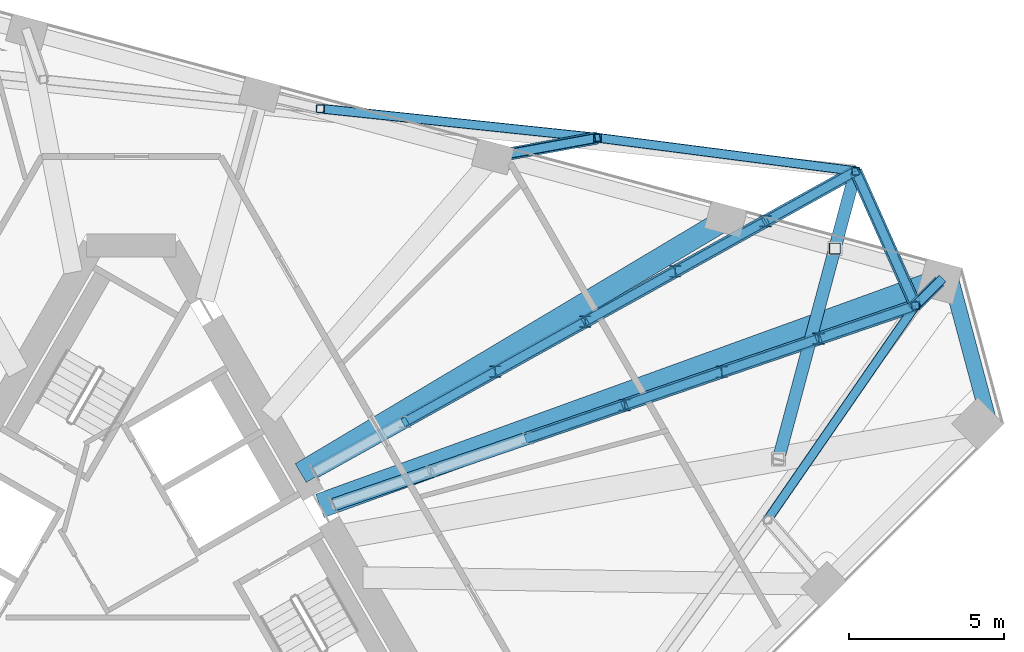
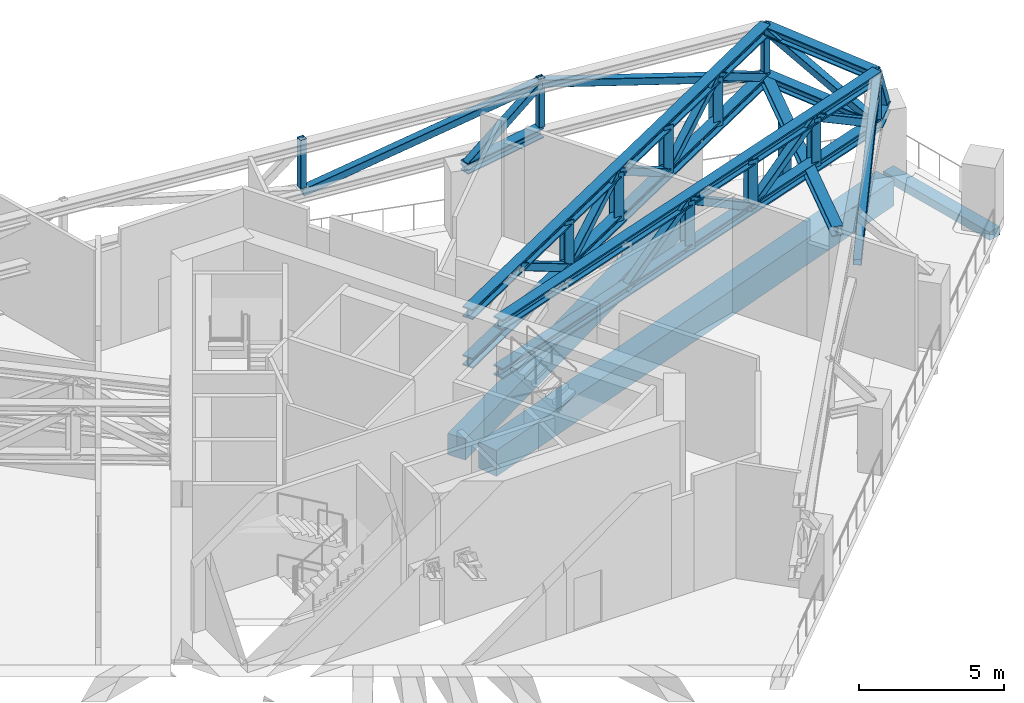
# One storey, part 12 of 22: 36 members, 3 beams.
"""IFC4 building model written with IfcOpenShell, lengths in metres."""

import ifcopenshell
import ifcopenshell.guid

model = None  # the IFC model being written
_history = None  # IfcOwnerHistory: only IFC2X3 demands one
_inside = {}  # id of a spatial element -> (the spatial element, [elements in it])
_under = {}  # id of a project, library or spatial element -> (it, [spatial elements below it])
_declared = {}  # id of a project -> (the project, [libraries it declares])
_typed = {}  # id of a type object -> (the type object, [elements of that type])
_made_of = {}  # id of a material, layer set ... -> (it, [elements and type objects made of it])


def new_model(schema):
    """Start an empty IFC model of exactly this schema.

    Asked for "IFC4X3", IfcOpenShell would pick the latest addendum, in which some entities
    have other attributes; the version numbers below select the first issue.
    IFC2X3 requires an IfcOwnerHistory on every rooted entity: one is made here for all.
    """
    global model, _history
    if schema == "IFC4X3":
        model = ifcopenshell.file(schema_version=(4, 3, 0, 0))
    else:
        model = ifcopenshell.file(schema=schema)
    _inside.clear()
    _under.clear()
    _declared.clear()
    _typed.clear()
    _made_of.clear()
    _history = None
    if model.schema == "IFC2X3":
        org = make("IfcOrganization", Name="unknown")
        user = make(
            "IfcPersonAndOrganization",
            ThePerson=make("IfcPerson", FamilyName="unknown"),
            TheOrganization=org,
        )
        app = make(
            "IfcApplication",
            ApplicationDeveloper=org,
            Version="unknown",
            ApplicationFullName="unknown",
            ApplicationIdentifier="unknown",
        )
        _history = make(
            "IfcOwnerHistory",
            OwningUser=user,
            OwningApplication=app,
            ChangeAction="ADDED",
            CreationDate=0,
        )
    return model


def make(cls, **values):
    """One entity of the class cls with the attributes given. An attribute that is None is left unset."""
    return model.create_entity(
        cls, **{name: value for name, value in values.items() if value is not None}
    )


def rooted(cls, **values):
    """An entity with a GlobalId (a new one), such as an element, a storey or a relation."""
    return make(cls, GlobalId=ifcopenshell.guid.new(), OwnerHistory=_history, **values)


def si_unit(unit_type, name, prefix=None):
    """IfcSIUnit, for example si_unit("LENGTHUNIT", "METRE", prefix="MILLI")."""
    return make("IfcSIUnit", UnitType=unit_type, Prefix=prefix, Name=name)


def assignment(units):
    """IfcUnitAssignment: the units of a project."""
    return None if units is None else make("IfcUnitAssignment", Units=units)


def point(xyz):
    """IfcCartesianPoint."""
    return None if xyz is None else make("IfcCartesianPoint", Coordinates=xyz)


def direction(xyz):
    """IfcDirection."""
    return None if xyz is None else make("IfcDirection", DirectionRatios=xyz)


def frame(location, z_axis=None, x_axis=None):
    """IfcAxis2Placement3D, a coordinate frame: its origin and axes. An axis left out is left unset."""
    return make(
        "IfcAxis2Placement3D",
        Location=point(location),
        Axis=direction(z_axis),
        RefDirection=direction(x_axis),
    )


def frame_2d(location, x_axis=None):
    """IfcAxis2Placement2D, a coordinate frame in the plane: its origin and x axis."""
    return make(
        "IfcAxis2Placement2D", Location=point(location), RefDirection=direction(x_axis)
    )


def origin():
    """The frame at (0, 0, 0) with its axes left unset."""
    return frame((0.0, 0.0, 0.0))


def origin_2d():
    """The frame at (0, 0) in the plane with its x axis left unset."""
    return frame_2d((0.0, 0.0))


def place(relative_to, where):
    """IfcLocalPlacement: puts the frame where relative to a parent placement (None: the world)."""
    return make(
        "IfcLocalPlacement", PlacementRelTo=relative_to, RelativePlacement=where
    )


def context(
    kind, dimensions, precision=None, world=None, true_north=None, identifier=None
):
    """IfcGeometricRepresentationContext, for example the 3D "Model" context."""
    return make(
        "IfcGeometricRepresentationContext",
        ContextIdentifier=identifier,
        ContextType=kind,
        CoordinateSpaceDimension=dimensions,
        Precision=precision,
        WorldCoordinateSystem=world,
        TrueNorth=true_north,
    )


def subcontext(parent, identifier, kind, view, scale=None):
    """IfcGeometricRepresentationSubContext, for example "Body" below "Model"."""
    return make(
        "IfcGeometricRepresentationSubContext",
        ContextIdentifier=identifier,
        ContextType=kind,
        ParentContext=parent,
        TargetScale=scale,
        TargetView=view,
    )


def project(units=None, contexts=None):
    """IfcProject with its units and contexts."""
    return rooted(
        "IfcProject",
        Name="project",
        RepresentationContexts=contexts,
        UnitsInContext=assignment(units),
    )


def spatial(cls, under=None, at=None, **own):
    """A site, building, storey or space (cls), placed at a placement, below another one or the project."""
    s = rooted(cls, ObjectPlacement=at, **own)
    if under is not None:
        _under.setdefault(under.id(), (under, []))[1].append(s)
    return s


def profile(cls, at=None, kind="AREA", **sizes):
    """A parametric profile (cls). Its sizes go by their IFC names, for example OverallWidth=200.0."""
    return make(cls, ProfileType=kind, Position=at, **sizes)


def rectangle(**sizes):
    """IfcRectangleProfileDef."""
    return profile("IfcRectangleProfileDef", **sizes)


def hollow_rectangle(**sizes):
    """IfcRectangleHollowProfileDef."""
    return profile("IfcRectangleHollowProfileDef", **sizes)


def i_section(**sizes):
    """IfcIShapeProfileDef."""
    return profile("IfcIShapeProfileDef", **sizes)


def extrude(swept, where, along, depth):
    """IfcExtrudedAreaSolid: the profile swept, set in the frame where, extruded along a direction by depth."""
    return make(
        "IfcExtrudedAreaSolid",
        SweptArea=swept,
        Position=where,
        ExtrudedDirection=direction(along),
        Depth=depth,
    )


def shape(context_of_items, identifier, shape_type, items):
    """IfcShapeRepresentation: the items that make up one representation, for example the "Body"."""
    return make(
        "IfcShapeRepresentation",
        ContextOfItems=context_of_items,
        RepresentationIdentifier=identifier,
        RepresentationType=shape_type,
        Items=items,
    )


def material(Name=None, Category=None):
    """IfcMaterial."""
    return make("IfcMaterial", Name=Name, Category=Category)


def material_profile(
    of_material, cross_section, Name=None, Category=None, Priority=None
):
    """IfcMaterialProfile: a cross section and its material."""
    return make(
        "IfcMaterialProfile",
        Name=Name,
        Material=of_material,
        Profile=cross_section,
        Priority=Priority,
        Category=Category,
    )


def profile_set(profiles, Name=None, composite=None):
    """IfcMaterialProfileSet."""
    return make(
        "IfcMaterialProfileSet",
        Name=Name,
        MaterialProfiles=profiles,
        CompositeProfile=composite,
    )


def made_of(thing, what):
    """Note that an element or type object is made of a material, layer set ...; save() writes the relation."""
    if what is not None:
        _made_of.setdefault(what.id(), (what, []))[1].append(thing)
    return thing


def type_object(cls, material=None, **own):
    """A type object (cls), such as IfcWallType, which elements share."""
    return made_of(rooted(cls, **own), material)


def element(
    cls,
    number,
    at=None,
    inside=None,
    cuts=None,
    type_object=None,
    material=None,
    context=None,
    identifier="Body",
    shape_type=None,
    held_by="IfcProductDefinitionShape",
    body=None,
    shapes=None,
    **own,
):
    """One element of the class cls, such as IfcWall. Its Tag is "e" and its number.

    at: its placement. inside: the storey or other place that contains it. cuts: it is an
    opening in that element (IfcRelVoidsElement). A single representation is given by context,
    identifier, shape_type and body (its items); several are given by shapes. held_by: the class
    of the entity that holds the representations. save() writes the other relations.
    """
    e = rooted(cls, Tag="e%d" % number, ObjectPlacement=at, **own)
    if body is not None:
        shapes = [shape(context, identifier, shape_type, body)]
    if shapes is not None:
        e.Representation = make(held_by, Representations=shapes)
    if inside is not None:
        _inside.setdefault(inside.id(), (inside, []))[1].append(e)
    if cuts is not None:
        rooted(
            "IfcRelVoidsElement", RelatingBuildingElement=cuts, RelatedOpeningElement=e
        )
    if type_object is not None:
        _typed.setdefault(type_object.id(), (type_object, []))[1].append(e)
    return made_of(e, material)


def aggregate(whole, parts):
    """IfcRelAggregates: a whole, such as a stair, and the parts it consists of."""
    return rooted("IfcRelAggregates", RelatingObject=whole, RelatedObjects=parts)


def save(model, path):
    """Write the relations noted so far, then the file.

    IfcRelAggregates (storeys below a building ...), IfcRelContainedInSpatialStructure (elements
    in a storey), IfcRelDefinesByType, IfcRelAssociatesMaterial and IfcRelDeclares: one each for
    every whole, place, type object, material and project.
    """
    for whole, parts in _under.values():
        aggregate(whole, parts)
    for where, things in _inside.values():
        rooted(
            "IfcRelContainedInSpatialStructure",
            RelatedElements=things,
            RelatingStructure=where,
        )
    for kind, things in _typed.values():
        rooted("IfcRelDefinesByType", RelatedObjects=things, RelatingType=kind)
    for what, things in _made_of.values():
        rooted("IfcRelAssociatesMaterial", RelatedObjects=things, RelatingMaterial=what)
    for by, libraries in _declared.values():
        rooted("IfcRelDeclares", RelatingContext=by, RelatedDefinitions=libraries)
    model.write(path)


model = new_model("IFC4")

# Units and contexts
model_context = context("Model", 3, precision=1e-05, world=origin(), true_north=direction((0.0, 1.0)))
body_context = subcontext(model_context, "Body", "Model", "MODEL_VIEW")
ifc_project = project(units=[si_unit("LENGTHUNIT", "METRE"), si_unit("AREAUNIT", "SQUARE_METRE"), si_unit("VOLUMEUNIT", "CUBIC_METRE"), si_unit("PLANEANGLEUNIT", "RADIAN"), si_unit("MASSUNIT", "GRAM", prefix="KILO")], contexts=[model_context])

# Site, building, storey
site_placement = place(None, origin())
site = spatial("IfcSite", under=ifc_project, at=site_placement, CompositionType="ELEMENT")
building_placement = place(site_placement, origin())
building = spatial("IfcBuilding", under=site, at=building_placement, Name="Tramontana Tower", CompositionType="ELEMENT")
storey_placement = place(building_placement, frame((0.0, 0.0, 232.0)))
storey = spatial("IfcBuildingStorey", under=building, at=storey_placement, Name="L54", CompositionType="ELEMENT", Elevation=232.0)

# Members
ifc_material_1 = material(Name="Steel ASTM A500 Grade C", Category="steel")
ifc_material_profile_1 = material_profile(ifc_material_1, hollow_rectangle(XDim=0.25390625, YDim=0.25390625, WallThickness=0.01171875, InnerFilletRadius=0.01171875, OuterFilletRadius=0.023681640625, at=origin_2d()), Name="HSS10X10X1/2")
ifc_profile_set_1 = profile_set([ifc_material_profile_1], Name="Steel ASTM A500 Grade C")
member_type_1 = type_object("IfcMemberType", Name="Belt truss HSS10X10X1/2 post", PredefinedType="POST", material=ifc_profile_set_1)
for number, where, z_axis, x_axis, name in (
    (1, (25.34130859375, 8.67919921875, 2.806396484375), (0.0, 0.0, 1.0), (1.0, 0.0, 0.0), "Belt truss post C6K4"),
    (2, (23.40625, 13.024658203125, 2.806396484375), (0.0, 0.0, 1.0), (1.0, 0.0, 0.0), "Belt truss post C6K5"),
    (3, (15.066650390625, 14.102294921875, 2.806396484375), (0.0, 0.0, 1.0), (1.0, 0.0, 0.0), "Belt truss post C6F09"),
    (4, (6.109375, 15.043701171875, 2.806396484375), (0.0, 0.0, 1.0), (1.0, 0.0, 0.0), "Belt truss post C6F10"),
):
    element("IfcMember", number, at=place(storey_placement, frame(where, z_axis=z_axis, x_axis=x_axis)), inside=storey, type_object=member_type_1, Name=name, PredefinedType="POST", context=body_context, shape_type="SweptSolid", body=[
        extrude(hollow_rectangle(XDim=0.25390625, YDim=0.25390625, WallThickness=0.01171875, InnerFilletRadius=0.01171875, OuterFilletRadius=0.023681640625, at=origin_2d()), origin(), (0.0, 0.0, 1.0), 2.043701171875),
    ])
ifc_material_2 = material(Name="Steel ASTM A500 Grade C", Category="steel")
ifc_material_profile_2 = material_profile(ifc_material_2, hollow_rectangle(XDim=0.3046875, YDim=0.3046875, WallThickness=0.01171875, InnerFilletRadius=0.01171875, OuterFilletRadius=0.023681640625, at=origin_2d()), Name="HSS12X12X1/2")
ifc_profile_set_2 = profile_set([ifc_material_profile_2], Name="Steel ASTM A500 Grade C")
member_type_2 = type_object("IfcMemberType", Name="Belt truss HSS12X12X1/2 brace", PredefinedType="BRACE", material=ifc_profile_set_2)
member_1_placement = place(storey_placement, frame((20.5615234375, 1.760498046875, 2.603271484375), z_axis=(0.552325435866, 0.799486695628, 0.236130549504), x_axis=(-0.822753048949, 0.568398997576, 0.0)))
element("IfcMember", 5, at=member_1_placement, inside=storey, type_object=member_type_2, Name="Belt truss diagonal S1.5", PredefinedType="BRACE", context=body_context, shape_type="SweptSolid", body=[
    extrude(hollow_rectangle(XDim=0.3046875, YDim=0.3046875, WallThickness=0.01171875, InnerFilletRadius=0.01171875, OuterFilletRadius=0.023681640625, at=origin_2d()), origin(), (0.0, 0.0, 1.0), 8.65380859375),
])
member_2_placement = place(storey_placement, frame((23.40625, 13.024658203125, 2.603271484375), z_axis=(-0.963707102853, 0.124529498873, 0.236137722149), x_axis=(-0.128153738169, -0.991754314028, 0.0)))
element("IfcMember", 6, at=member_2_placement, inside=storey, type_object=member_type_2, Name="Belt truss diagonal S2.1", PredefinedType="BRACE", context=body_context, shape_type="SweptSolid", body=[
    extrude(hollow_rectangle(XDim=0.3046875, YDim=0.3046875, WallThickness=0.01171875, InnerFilletRadius=0.01171875, OuterFilletRadius=0.023681640625, at=origin_2d()), origin(), (0.0, 0.0, 1.0), 8.653564453125),
])
member_3_placement = place(storey_placement, frame((15.066650390625, 14.102294921875, 4.646728515625), z_axis=(-0.969872822269, 0.101933266174, -0.221260746338), x_axis=(-0.104523924554, -0.994522372396, 0.0)))
element("IfcMember", 7, at=member_3_placement, inside=storey, type_object=member_type_2, Name="Belt truss diagonal S2.2", PredefinedType="BRACE", context=body_context, shape_type="SweptSolid", body=[
    extrude(hollow_rectangle(XDim=0.3046875, YDim=0.3046875, WallThickness=0.01171875, InnerFilletRadius=0.01171875, OuterFilletRadius=0.023681640625, at=origin_2d()), origin(), (0.0, 0.0, 1.0), 9.235595703125),
])
member_4_placement = place(storey_placement, frame((25.34130859375, 8.67919921875, 2.603271484375), z_axis=(-0.373766988055, 0.839348803986, 0.394704730005), x_axis=(-0.91351924065, -0.406795522299, 0.0)))
element("IfcMember", 8, at=member_4_placement, inside=storey, type_object=member_type_2, Name="Belt truss diagonal K2.1", PredefinedType="BRACE", context=body_context, shape_type="SweptSolid", body=[
    extrude(hollow_rectangle(XDim=0.3046875, YDim=0.3046875, WallThickness=0.01171875, InnerFilletRadius=0.01171875, OuterFilletRadius=0.023681640625, at=origin_2d()), origin(), (0.0, 0.0, 1.0), 5.17724609375),
])
ifc_material_3 = material(Name="Steel ASTM A992 Grade 50", Category="steel")
ifc_material_profile_3 = material_profile(ifc_material_3, i_section(OverallWidth=0.4033203125, OverallDepth=0.406494140625, WebThickness=0.027099609375, FlangeThickness=0.04443359375, FilletRadius=0.01513671875, at=origin_2d()), Name="W14X233")
ifc_profile_set_3 = profile_set([ifc_material_profile_3], Name="Steel ASTM A992 Grade 50")
member_type_3 = type_object("IfcMemberType", Name="Belt truss W14X233 chord", PredefinedType="CHORD", material=ifc_profile_set_3)
for number, where, z_axis, x_axis, name in (
    (9, (25.34130859375, 8.67919921875, 2.603271484375), (-0.406795522299, 0.91351924065, 0.0), (-0.91351924065, -0.406795522299, 0.0), "Belt truss bottom chord K2"),
    (10, (25.34130859375, 8.67919921875, 4.646728515625), (-0.406795522299, 0.91351924065, 0.0), (-0.91351924065, -0.406795522299, 0.0), "Belt truss top chord K2"),
):
    element("IfcMember", number, at=place(storey_placement, frame(where, z_axis=z_axis, x_axis=x_axis)), inside=storey, type_object=member_type_3, Name=name, PredefinedType="CHORD", context=body_context, shape_type="SweptSolid", body=[
        extrude(i_section(OverallWidth=0.4033203125, OverallDepth=0.406494140625, WebThickness=0.027099609375, FlangeThickness=0.04443359375, FilletRadius=0.01513671875, at=origin_2d()), origin(), (0.0, 0.0, 1.0), 4.7568359375),
    ])
ifc_material_4 = material(Name="Steel ASTM A500 Grade C", Category="steel")
ifc_material_profile_4 = material_profile(ifc_material_4, hollow_rectangle(XDim=0.3046875, YDim=0.3046875, WallThickness=0.01171875, InnerFilletRadius=0.01171875, OuterFilletRadius=0.023681640625, at=origin_2d()), Name="HSS12X12X1/2")
ifc_profile_set_4 = profile_set([ifc_material_profile_4], Name="Steel ASTM A500 Grade C")
member_type_4 = type_object("IfcMemberType", Name="Outrigger truss HSS12X12X1/2 brace", PredefinedType="BRACE", material=ifc_profile_set_4)
for number, where, z_axis, x_axis, name in (
    (11, (12.80859375, 4.39208984375, 2.603271484375), (0.805190435709, 0.275445025541, 0.525165117033), (-0.323672046376, 0.946169332834, 0.0), "Outrigger truss diagonal 3.3"),
    (12, (15.941650390625, 5.4638671875, 4.646728515625), (0.805190435709, 0.275445025541, -0.525165117033), (-0.323672046376, 0.946169332834, 0.0), "Outrigger truss diagonal 3.4"),
):
    element("IfcMember", number, at=place(storey_placement, frame(where, z_axis=z_axis, x_axis=x_axis)), inside=storey, type_object=member_type_4, Name=name, PredefinedType="BRACE", context=body_context, shape_type="SweptSolid", body=[
        extrude(hollow_rectangle(XDim=0.3046875, YDim=0.3046875, WallThickness=0.01171875, InnerFilletRadius=0.01171875, OuterFilletRadius=0.023681640625, at=origin_2d()), origin(), (0.0, 0.0, 1.0), 3.89111328125),
    ])
for number, where, z_axis, x_axis, name in (
    (13, (19.07470703125, 6.53564453125, 2.603271484375), (0.805212499026, 0.275431110388, 0.525138586321), (-0.323649468337, 0.946177056182, 0.0), "Outrigger truss diagonal 3.5"),
    (14, (22.2080078125, 7.607421875, 4.646728515625), (0.805212499026, 0.275431110388, -0.525138586321), (-0.323649468337, 0.946177056182, 0.0), "Outrigger truss diagonal 3.6"),
):
    element("IfcMember", number, at=place(storey_placement, frame(where, z_axis=z_axis, x_axis=x_axis)), inside=storey, type_object=member_type_4, Name=name, PredefinedType="BRACE", context=body_context, shape_type="SweptSolid", body=[
        extrude(hollow_rectangle(XDim=0.3046875, YDim=0.3046875, WallThickness=0.01171875, InnerFilletRadius=0.01171875, OuterFilletRadius=0.023681640625, at=origin_2d()), origin(), (0.0, 0.0, 1.0), 3.891357421875),
    ])
for number, where, z_axis, x_axis, name in (
    (15, (8.845703125, 4.9228515625, 4.646728515625), (0.74494171679, 0.414501859015, -0.522733246943), (-0.486221296058, 0.873835711824, 0.0), "Outrigger truss diagonal 4.2"),
    (16, (11.7578125, 6.543212890625, 2.603271484375), (0.744922431805, 0.414553580007, 0.522719714471), (-0.486277232976, 0.873804584956, 0.0), "Outrigger truss diagonal 4.3"),
    (17, (14.669921875, 8.163818359375, 4.646728515625), (0.744961000366, 0.414450134007, -0.522746778426), (-0.486165353162, 0.87386683733, 0.0), "Outrigger truss diagonal 4.4"),
    (18, (17.58203125, 9.783935546875, 2.603271484375), (0.74494171679, 0.414501859015, 0.522733246943), (-0.486221296058, 0.873835711824, 0.0), "Outrigger truss diagonal 4.5"),
    (19, (20.494140625, 11.404296875, 4.646728515625), (0.74494171679, 0.414501859015, -0.522733246943), (-0.486221296058, 0.873835711824, 0.0), "Outrigger truss diagonal 4.6"),
):
    element("IfcMember", number, at=place(storey_placement, frame(where, z_axis=z_axis, x_axis=x_axis)), inside=storey, type_object=member_type_4, Name=name, PredefinedType="BRACE", context=body_context, shape_type="SweptSolid", body=[
        extrude(hollow_rectangle(XDim=0.3046875, YDim=0.3046875, WallThickness=0.01171875, InnerFilletRadius=0.01171875, OuterFilletRadius=0.023681640625, at=origin_2d()), origin(), (0.0, 0.0, 1.0), 3.9091796875),
    ])
ifc_material_5 = material(Name="Steel ASTM A992 Grade 50", Category="steel")
ifc_material_profile_5 = material_profile(ifc_material_5, i_section(OverallWidth=0.374755859375, OverallDepth=0.37158203125, WebThickness=0.015869140625, FlangeThickness=0.025390625, FilletRadius=0.01513671875, at=origin_2d()), Name="W14X132")
ifc_profile_set_5 = profile_set([ifc_material_profile_5], Name="Steel ASTM A992 Grade 50")
member_type_5 = type_object("IfcMemberType", Name="Outrigger truss W14X132 post", PredefinedType="POST", material=ifc_profile_set_5)
for number, where, z_axis, x_axis, name in (
    (20, (15.941650390625, 5.4638671875, 2.603271484375), (0.0, 0.0, 1.0), (1.0, 0.0, 0.0), "Outrigger truss post 3.3"),
    (21, (19.07470703125, 6.53564453125, 2.603271484375), (0.0, 0.0, 1.0), (1.0, 0.0, 0.0), "Outrigger truss post 3.4"),
    (22, (22.2080078125, 7.607421875, 2.603271484375), (0.0, 0.0, 1.0), (1.0, 0.0, 0.0), "Outrigger truss post 3.5"),
    (23, (11.7578125, 6.543212890625, 2.603271484375), (0.0, 0.0, 1.0), (1.0, 0.0, 0.0), "Outrigger truss post 4.2"),
    (24, (14.669921875, 8.163818359375, 2.603271484375), (0.0, 0.0, 1.0), (1.0, 0.0, 0.0), "Outrigger truss post 4.3"),
    (25, (17.58203125, 9.783935546875, 2.603271484375), (0.0, 0.0, 1.0), (1.0, 0.0, 0.0), "Outrigger truss post 4.4"),
    (26, (20.494140625, 11.404296875, 2.603271484375), (0.0, 0.0, 1.0), (1.0, 0.0, 0.0), "Outrigger truss post 4.5"),
):
    element("IfcMember", number, at=place(storey_placement, frame(where, z_axis=z_axis, x_axis=x_axis)), inside=storey, type_object=member_type_5, Name=name, PredefinedType="POST", context=body_context, shape_type="SweptSolid", body=[
        extrude(i_section(OverallWidth=0.374755859375, OverallDepth=0.37158203125, WebThickness=0.015869140625, FlangeThickness=0.025390625, FilletRadius=0.01513671875, at=origin_2d()), origin(), (0.0, 0.0, 1.0), 2.04345703125),
    ])
ifc_material_6 = material(Name="Steel ASTM A992 Grade 50", Category="steel")
ifc_material_profile_6 = material_profile(ifc_material_6, i_section(OverallWidth=0.412841796875, OverallDepth=0.43505859375, WebThickness=0.03662109375, FlangeThickness=0.05712890625, FilletRadius=0.01513671875, at=origin_2d()), Name="W14X311")
ifc_profile_set_6 = profile_set([ifc_material_profile_6], Name="Steel ASTM A992 Grade 50")
member_type_6 = type_object("IfcMemberType", Name="Outrigger truss W14X311 chord", PredefinedType="CHORD", material=ifc_profile_set_6)
for number, where, z_axis, x_axis, name in (
    (27, (6.5419921875, 2.248779296875, 2.603271484375), (0.946178244787, 0.323645993474, 0.0), (-0.323645993474, 0.946178244787, 0.0), "Outrigger truss bottom chord 3"),
    (28, (6.5419921875, 2.248779296875, 4.646728515625), (0.946178244787, 0.323645993474, 0.0), (-0.323645993474, 0.946178244787, 0.0), "Outrigger truss top chord 3"),
):
    element("IfcMember", number, at=place(storey_placement, frame(where, z_axis=z_axis, x_axis=x_axis)), inside=storey, type_object=member_type_6, Name=name, PredefinedType="CHORD", context=body_context, shape_type="SweptSolid", body=[
        extrude(i_section(OverallWidth=0.412841796875, OverallDepth=0.43505859375, WebThickness=0.03662109375, FlangeThickness=0.05712890625, FilletRadius=0.01513671875, at=origin_2d()), origin(), (0.0, 0.0, 1.0), 19.86865234375),
    ])
for number, where, z_axis, x_axis, name in (
    (29, (5.93359375, 3.302490234375, 2.603271484375), (0.873835711824, 0.486221296058, 0.0), (-0.486221296058, 0.873835711824, 0.0), "Outrigger truss bottom chord 4"),
    (30, (5.93359375, 3.302490234375, 4.646728515625), (0.873835711824, 0.486221296058, 0.0), (-0.486221296058, 0.873835711824, 0.0), "Outrigger truss top chord 4"),
):
    element("IfcMember", number, at=place(storey_placement, frame(where, z_axis=z_axis, x_axis=x_axis)), inside=storey, type_object=member_type_6, Name=name, PredefinedType="CHORD", context=body_context, shape_type="SweptSolid", body=[
        extrude(i_section(OverallWidth=0.412841796875, OverallDepth=0.43505859375, WebThickness=0.03662109375, FlangeThickness=0.05712890625, FilletRadius=0.01513671875, at=origin_2d()), origin(), (0.0, 0.0, 1.0), 19.995361328125),
    ])

# Beams
ifc_material_7 = material(Name="Concrete 40 MPa", Category="concrete")
ifc_material_profile_7 = material_profile(ifc_material_7, rectangle(XDim=0.5, YDim=0.35009765625, at=origin_2d()), Name="RC EDGE BEAM 500X350 40 MPa")
ifc_profile_set_7 = profile_set([ifc_material_profile_7], Name="Concrete 40 MPa")
beam_type_1 = type_object("IfcBeamType", Name="RC EDGE BEAM 500X350 40 MPa", PredefinedType="SPANDREL", material=ifc_profile_set_7)
beam_1_placement = place(storey_placement, frame((27.7666015625, 4.750244140625, -0.52490234375), z_axis=(-0.258797147923, 0.965931693355, 0.0), x_axis=(-0.965931693355, -0.258797147923, 0.0)))
element("IfcBeam", 31, at=beam_1_placement, inside=storey, type_object=beam_type_1, Name="Spandrel beam K2 L54", PredefinedType="SPANDREL", context=body_context, shape_type="SweptSolid", body=[
    extrude(rectangle(XDim=0.5, YDim=0.35009765625, at=origin_2d()), origin(), (0.0, 0.0, 1.0), 5.196044921875),
])
ifc_material_8 = material(Name="Concrete 40 MPa", Category="concrete")
ifc_material_profile_8 = material_profile(ifc_material_8, rectangle(XDim=0.699951171875, YDim=0.89990234375, at=origin_2d()), Name="RC GIRDER 700X900 40 MPa")
ifc_profile_set_8 = profile_set([ifc_material_profile_8], Name="Concrete 40 MPa")
beam_type_2 = type_object("IfcBeamType", Name="RC GIRDER 700X900 40 MPa", PredefinedType="BEAM", material=ifc_profile_set_8)
beam_2_placement = place(storey_placement, frame((19.211181640625, 11.468505859375, -0.800048828125), z_axis=(-0.858639355408, -0.512580196012, 0.0), x_axis=(0.512580196012, -0.858639355408, 0.0)))
element("IfcBeam", 32, at=beam_2_placement, inside=storey, type_object=beam_type_2, Name="Radial girder C5F11 L54", PredefinedType="BEAM", context=body_context, shape_type="SweptSolid", body=[
    extrude(rectangle(XDim=0.699951171875, YDim=0.89990234375, at=origin_2d()), origin(), (0.0, 0.0, 1.0), 15.998291015625),
])
ifc_material_9 = material(Name="Concrete 40 MPa", Category="concrete")
ifc_material_profile_9 = material_profile(ifc_material_9, rectangle(XDim=0.800048828125, YDim=1.10009765625, at=origin_2d()), Name="RC GIRDER 800X1100 40 MPa")
ifc_profile_set_9 = profile_set([ifc_material_profile_9], Name="Concrete 40 MPa")
beam_type_3 = type_object("IfcBeamType", Name="RC GIRDER 800X1100 40 MPa", PredefinedType="BEAM", material=ifc_profile_set_9)
beam_3_placement = place(storey_placement, frame((26.12158203125, 9.461669921875, -0.89990234375), z_axis=(-0.940223018737, -0.340559356113, 0.0), x_axis=(0.340559356113, -0.940223018737, 0.0)))
element("IfcBeam", 33, at=beam_3_placement, inside=storey, type_object=beam_type_3, Name="Radial girder C5K5 L54", PredefinedType="BEAM", context=body_context, shape_type="SweptSolid", body=[
    extrude(rectangle(XDim=0.800048828125, YDim=1.10009765625, at=origin_2d()), origin(), (0.0, 0.0, 1.0), 21.301513671875),
])

# Members
ifc_material_10 = material(Name="Steel ASTM A500 Grade C", Category="steel")
ifc_material_profile_10 = material_profile(ifc_material_10, hollow_rectangle(XDim=0.3046875, YDim=0.3046875, WallThickness=0.01171875, InnerFilletRadius=0.01171875, OuterFilletRadius=0.023681640625, at=origin_2d()), Name="HSS12X12X1/2")
ifc_profile_set_10 = profile_set([ifc_material_profile_10], Name="Steel ASTM A500 Grade C")
member_type_7 = type_object("IfcMemberType", Name="Transfer truss HSS12X12X1/2 brace", PredefinedType="BRACE", material=ifc_profile_set_10)
member_5_placement = place(storey_placement, frame((11.6826171875, 13.48583984375, 2.603271484375), z_axis=(0.845812353467, 0.154078074634, 0.51074593453), x_axis=(-0.179216463951, 0.983809666068, 0.0)))
element("IfcMember", 34, at=member_5_placement, inside=storey, type_object=member_type_7, Name="Transfer truss strut C6F09 diagonal", PredefinedType="BRACE", context=body_context, shape_type="SweptSolid", body=[
    extrude(hollow_rectangle(XDim=0.3046875, YDim=0.3046875, WallThickness=0.01171875, InnerFilletRadius=0.01171875, OuterFilletRadius=0.023681640625, at=origin_2d()), origin(), (0.0, 0.0, 1.0), 4.0009765625),
])
member_6_placement = place(storey_placement, frame((26.12158203125, 9.461669921875, 2.603271484375), z_axis=(-0.335875644504, -0.336821477045, 0.879624262984), x_axis=(0.708100294823, -0.706111869658, 0.0)))
element("IfcMember", 35, at=member_6_placement, inside=storey, type_object=member_type_7, Name="Transfer truss strut C6K4 diagonal", PredefinedType="BRACE", context=body_context, shape_type="SweptSolid", body=[
    extrude(hollow_rectangle(XDim=0.3046875, YDim=0.3046875, WallThickness=0.01171875, InnerFilletRadius=0.01171875, OuterFilletRadius=0.023681640625, at=origin_2d()), origin(), (0.0, 0.0, 1.0), 2.322998046875),
])
ifc_material_11 = material(Name="Steel ASTM A500 Grade C", Category="steel")
ifc_material_profile_11 = material_profile(ifc_material_11, hollow_rectangle(XDim=0.355712890625, YDim=0.355712890625, WallThickness=0.01171875, InnerFilletRadius=0.01171875, OuterFilletRadius=0.023681640625, at=origin_2d()), Name="HSS14X14X1/2")
ifc_profile_set_11 = profile_set([ifc_material_profile_11], Name="Steel ASTM A500 Grade C")
member_type_8 = type_object("IfcMemberType", Name="Transfer truss HSS14X14X1/2 post", PredefinedType="POST", material=ifc_profile_set_11)
member_7_placement = place(storey_placement, frame((22.736328125, 10.52392578125, 0.0400390625), z_axis=(0.0, 0.0, 1.0), x_axis=(1.0, 0.0, 0.0)))
element("IfcMember", 36, at=member_7_placement, inside=storey, type_object=member_type_8, Name="Transfer truss post C6K5.1", PredefinedType="POST", context=body_context, shape_type="SweptSolid", body=[
    extrude(hollow_rectangle(XDim=0.355712890625, YDim=0.355712890625, WallThickness=0.01171875, InnerFilletRadius=0.01171875, OuterFilletRadius=0.023681640625, at=origin_2d()), origin(), (0.0, 0.0, 1.0), 2.35986328125),
])
ifc_material_12 = material(Name="Steel ASTM A992 Grade 50", Category="steel")
ifc_material_profile_12 = material_profile(ifc_material_12, i_section(OverallWidth=0.4033203125, OverallDepth=0.406494140625, WebThickness=0.027099609375, FlangeThickness=0.04443359375, FilletRadius=0.01513671875, at=origin_2d()), Name="W14X233")
ifc_profile_set_12 = profile_set([ifc_material_profile_12], Name="Steel ASTM A992 Grade 50")
member_type_9 = type_object("IfcMemberType", Name="Transfer truss W14X233 chord", PredefinedType="CHORD", material=ifc_profile_set_12)
member_8_placement = place(storey_placement, frame((23.40625, 13.024658203125, 2.603271484375), z_axis=(-0.258825196955, -0.965924177884, 0.0), x_axis=(0.965924177884, -0.258825196955, 0.0)))
element("IfcMember", 37, at=member_8_placement, inside=storey, type_object=member_type_9, Name="Transfer truss girder C6K5", PredefinedType="CHORD", context=body_context, shape_type="SweptSolid", body=[
    extrude(i_section(OverallWidth=0.4033203125, OverallDepth=0.406494140625, WebThickness=0.027099609375, FlangeThickness=0.04443359375, FilletRadius=0.01513671875, at=origin_2d()), origin(), (0.0, 0.0, 1.0), 9.631591796875),
])
ifc_material_13 = material(Name="Steel ASTM A992 Grade 50", Category="steel")
ifc_material_profile_13 = material_profile(ifc_material_13, i_section(OverallWidth=0.4033203125, OverallDepth=0.406494140625, WebThickness=0.027099609375, FlangeThickness=0.04443359375, FilletRadius=0.01513671875, at=origin_2d()), Name="W14X233")
ifc_profile_set_13 = profile_set([ifc_material_profile_13], Name="Steel ASTM A992 Grade 50")
member_type_10 = type_object("IfcMemberType", Name="Transfer truss W14X233 strut", PredefinedType="STRUT", material=ifc_profile_set_13)
member_9_placement = place(storey_placement, frame((11.6826171875, 13.48583984375, 2.603271484375), z_axis=(0.983809666068, 0.179216463951, 0.0), x_axis=(-0.179216463951, 0.983809666068, 0.0)))
element("IfcMember", 38, at=member_9_placement, inside=storey, type_object=member_type_10, Name="Transfer truss strut C6F09 bottom", PredefinedType="STRUT", context=body_context, shape_type="SweptSolid", body=[
    extrude(i_section(OverallWidth=0.4033203125, OverallDepth=0.406494140625, WebThickness=0.027099609375, FlangeThickness=0.04443359375, FilletRadius=0.01513671875, at=origin_2d()), origin(), (0.0, 0.0, 1.0), 3.439697265625),
])
member_10_placement = place(storey_placement, frame((26.12158203125, 9.461669921875, 2.603271484375), z_axis=(-0.706111869658, -0.708100294823, 0.0), x_axis=(0.708100294823, -0.706111869658, 0.0)))
element("IfcMember", 39, at=member_10_placement, inside=storey, type_object=member_type_10, Name="Transfer truss strut C6K4 bottom", PredefinedType="STRUT", context=body_context, shape_type="SweptSolid", body=[
    extrude(i_section(OverallWidth=0.4033203125, OverallDepth=0.406494140625, WebThickness=0.027099609375, FlangeThickness=0.04443359375, FilletRadius=0.01513671875, at=origin_2d()), origin(), (0.0, 0.0, 1.0), 1.10498046875),
])

save(model, "model.ifc")
